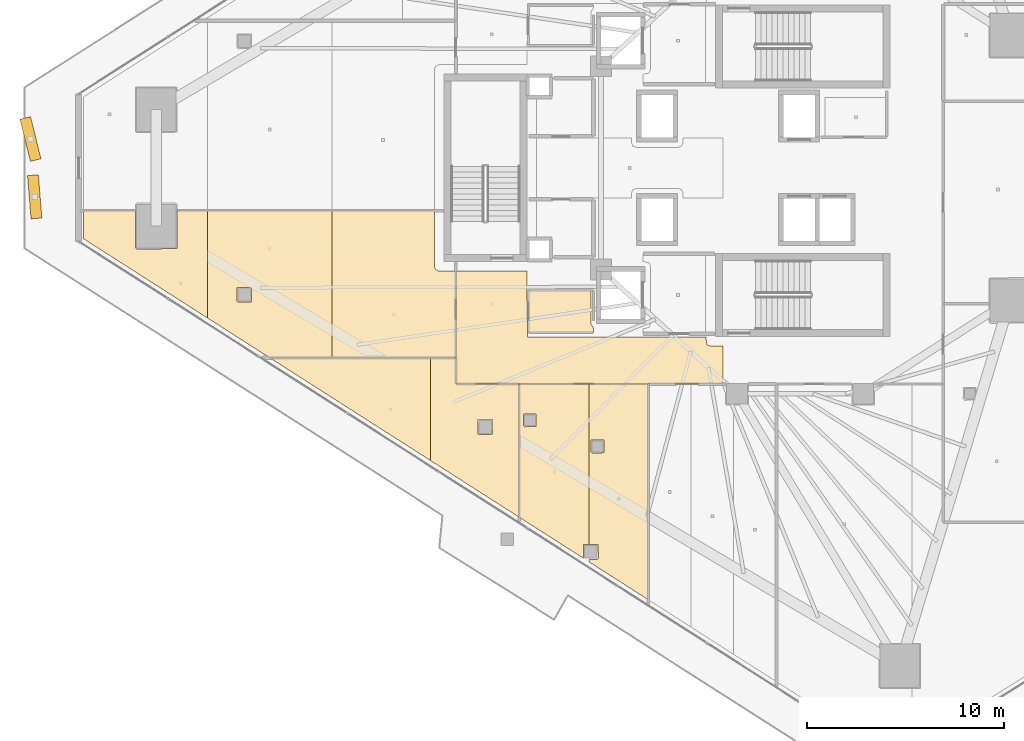
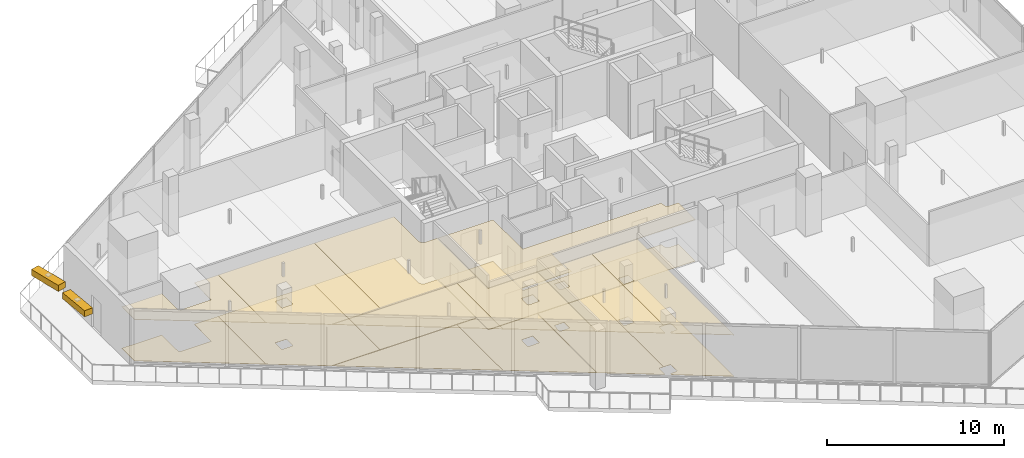
# One storey, part 32 of 39: 17 coverings, 2 shading devices.
"""IFC4 building model written with IfcOpenShell, lengths in metres."""

from ifc_helpers import new_model, si_unit, direction, frame, origin, origin_2d, place, context, subcontext, project, spatial, polyline, rectangle, outline, extrude, material, layer, layer_set, type_object, element, save


model = new_model("IFC4")

# Units and contexts
model_context = context("Model", 3, precision=1e-05, world=origin(), true_north=direction((0.0, 1.0)))
body_context = subcontext(model_context, "Body", "Model", "MODEL_VIEW")
ifc_project = project(units=[si_unit("LENGTHUNIT", "METRE"), si_unit("AREAUNIT", "SQUARE_METRE"), si_unit("VOLUMEUNIT", "CUBIC_METRE"), si_unit("PLANEANGLEUNIT", "RADIAN"), si_unit("MASSUNIT", "GRAM", prefix="KILO")], contexts=[model_context])

# Site, building, storey
site_placement = place(None, origin())
site = spatial("IfcSite", under=ifc_project, at=site_placement, CompositionType="ELEMENT")
building_placement = place(site_placement, origin())
building = spatial("IfcBuilding", under=site, at=building_placement, Name="Qorvath Tower", CompositionType="ELEMENT")
storey_placement = place(building_placement, frame((0.0, 0.0, 142.199951171875)))
storey = spatial("IfcBuildingStorey", under=building, at=storey_placement, Name="L32", CompositionType="ELEMENT", Elevation=142.199951171875)

# Coverings
ifc_material_1 = material(Name="Acoustic mineral fibre ceiling tile", Category="gypsum")
ifc_layer_1 = layer(ifc_material_1, 0.030029296875)
ifc_layer_set_1 = layer_set([ifc_layer_1], Name="COV-CEIL")
covering_type_1 = type_object("IfcCoveringType", Name="COV-CEIL", PredefinedType="CEILING", material=ifc_layer_set_1)
covering_1_placement = place(storey_placement, frame((0.0, 0.0, 2.85009765625)))
element("IfcCovering", 1, at=covering_1_placement, inside=storey, type_object=covering_type_1, Name="L32 Suspended Acoustic Ceiling 008", PredefinedType="CEILING", context=body_context, shape_type="SweptSolid", body=[
    extrude(outline(polyline([(-34.22509765625, -8.580078125), (-34.251220703125, -5.239990234375), (-37.844970703125, -5.239990234375), (-37.844970703125, -10.945068359375), (-24.32080078125, -10.945068359375), (-24.32080078125, -9.0400390625), (-24.93994140625, -9.0400390625), (-25.11669921875, -8.966796875), (-25.18994140625, -8.57421875), (-34.22509765625, -8.580078125)])), origin(), (0.0, 0.0, 1.0), 0.030029296875),
])
covering_2_placement = place(storey_placement, frame((0.0, 0.0, 2.85009765625)))
element("IfcCovering", 2, at=covering_2_placement, inside=storey, type_object=covering_type_1, Name="L32 Suspended Acoustic Ceiling 021", PredefinedType="CEILING", context=body_context, shape_type="SweptSolid", body=[
    extrude(outline(polyline([(-31.1005859375, -19.093017578125), (-31.1005859375, -10.962890625), (-34.64501953125, -10.962890625), (-34.64501953125, -17.715087890625), (-31.3994140625, -19.78955078125), (-31.383544921875, -19.093017578125), (-31.1005859375, -19.093017578125)]), holes=[polyline([(-34.439208984375, -13.0673828125), (-34.421630859375, -12.47509765625), (-33.786865234375, -12.47509765625), (-33.786865234375, -13.10986328125), (-34.379150390625, -13.12744140625), (-34.439208984375, -13.0673828125)])]), origin(), (0.0, 0.0, 1.0), 0.030029296875),
])
covering_3_placement = place(storey_placement, frame((0.0, 0.0, 2.85009765625)))
element("IfcCovering", 3, at=covering_3_placement, inside=storey, type_object=covering_type_1, Name="L32 Suspended Acoustic Ceiling 022", PredefinedType="CEILING", context=body_context, shape_type="SweptSolid", body=[
    extrude(outline(polyline([(-30.691162109375, -19.845458984375), (-31.1005859375, -19.845458984375), (-31.1005859375, -19.98046875), (-28.106689453125, -21.89404296875), (-28.106689453125, -10.962890625), (-31.1005859375, -10.962890625), (-31.1005859375, -19.093017578125), (-30.648681640625, -19.093017578125), (-30.631103515625, -19.785400390625), (-30.691162109375, -19.845458984375)]), holes=[polyline([(-31.01220703125, -14.3994140625), (-30.99462890625, -13.806884765625), (-30.35986328125, -13.806884765625), (-30.35986328125, -14.441650390625), (-30.9521484375, -14.459228515625), (-31.01220703125, -14.3994140625)])]), origin(), (0.0, 0.0, 1.0), 0.030029296875),
])
covering_4_placement = place(storey_placement, frame((0.0, 0.0, 2.85009765625)))
element("IfcCovering", 4, at=covering_4_placement, inside=storey, type_object=covering_type_1, Name="L32 Suspended Acoustic Ceiling 038", PredefinedType="CEILING", context=body_context, shape_type="SweptSolid", body=[
    extrude(outline(polyline([(-39.1455078125, -14.838623046875), (-39.1455078125, -9.62841796875), (-47.297607421875, -9.62841796875), (-39.1455078125, -14.838623046875)])), origin(), (0.0, 0.0, 1.0), 0.030029296875),
])
covering_5_placement = place(storey_placement, frame((0.0, 0.0, 2.85009765625)))
element("IfcCovering", 5, at=covering_5_placement, inside=storey, type_object=covering_type_1, Name="L32 Suspended Acoustic Ceiling 039", PredefinedType="CEILING", context=body_context, shape_type="SweptSolid", body=[
    extrude(outline(polyline([(-37.863037109375, -10.9580078125), (-37.863037109375, -9.62841796875), (-39.1455078125, -9.62841796875), (-39.1455078125, -14.838623046875), (-34.6630859375, -17.70361328125), (-34.6630859375, -10.962890625), (-37.863037109375, -10.9580078125)]), holes=[polyline([(-36.749755859375, -13.46044921875), (-36.732177734375, -12.76806640625), (-35.997314453125, -12.76806640625), (-35.997314453125, -13.5029296875), (-36.689697265625, -13.5205078125), (-36.749755859375, -13.46044921875)])]), origin(), (0.0, 0.0, 1.0), 0.030029296875),
])
covering_6_placement = place(storey_placement, frame((0.0, 0.0, 2.85009765625)))
element("IfcCovering", 6, at=covering_6_placement, inside=storey, type_object=covering_type_1, Name="L32 Suspended Acoustic Ceiling 040", PredefinedType="CEILING", context=body_context, shape_type="SweptSolid", body=[
    extrude(outline(polyline([(-50.441162109375, -7.619384765625), (-50.441162109375, -2.1689453125), (-51.989501953125, -2.1689453125), (-52.007080078125, -4.09326171875), (-54.04931640625, -4.11083984375), (-54.109375, -4.05078125), (-54.109375, -2.1689453125), (-56.72998046875, -2.1689453125), (-56.72998046875, -3.599853515625), (-50.441162109375, -7.619384765625)])), origin(), (0.0, 0.0, 1.0), 0.030029296875),
])
covering_7_placement = place(storey_placement, frame((0.0, 0.0, 2.85009765625)))
element("IfcCovering", 7, at=covering_7_placement, inside=storey, type_object=covering_type_1, Name="L32 Suspended Acoustic Ceiling 041", PredefinedType="CEILING", context=body_context, shape_type="SweptSolid", body=[
    extrude(outline(polyline([(-44.152099609375, -9.6103515625), (-44.152099609375, -2.1689453125), (-50.441162109375, -2.1689453125), (-50.441162109375, -7.619384765625), (-47.325927734375, -9.6103515625), (-44.152099609375, -9.6103515625)]), holes=[polyline([(-48.96337890625, -6.74951171875), (-48.94580078125, -6.05712890625), (-48.2109375, -6.05712890625), (-48.2109375, -6.7919921875), (-48.9033203125, -6.8095703125), (-48.96337890625, -6.74951171875)])]), origin(), (0.0, 0.0, 1.0), 0.030029296875),
])
covering_8_placement = place(storey_placement, frame((0.0, 0.0, 2.85009765625)))
element("IfcCovering", 8, at=covering_8_placement, inside=storey, type_object=covering_type_1, Name="L32 Suspended Acoustic Ceiling 042", PredefinedType="CEILING", context=body_context, shape_type="SweptSolid", body=[
    extrude(outline(polyline([(-37.863037109375, -9.6103515625), (-37.863037109375, -5.239990234375), (-38.699951171875, -5.239990234375), (-38.876708984375, -5.166748046875), (-38.949951171875, -4.989990234375), (-38.949951171875, -2.1689453125), (-44.152099609375, -2.1689453125), (-44.152099609375, -9.6103515625), (-37.863037109375, -9.6103515625)])), origin(), (0.0, 0.0, 1.0), 0.030029296875),
])
ifc_material_2 = material(Name="Low-VOC modular carpet tile", Category="textile")
ifc_layer_2 = layer(ifc_material_2, 0.014892578125)
ifc_layer_set_2 = layer_set([ifc_layer_2], Name="COV-FLOOR-CPT")
covering_type_2 = type_object("IfcCoveringType", Name="COV-FLOOR-CPT", PredefinedType="FLOORING", material=ifc_layer_set_2)
covering_9_placement = place(storey_placement, origin())
element("IfcCovering", 9, at=covering_9_placement, inside=storey, type_object=covering_type_2, Name="L32 Floor Finish 021", PredefinedType="FLOORING", context=body_context, shape_type="SweptSolid", body=[
    extrude(outline(polyline([(-31.1005859375, -19.093017578125), (-31.1005859375, -10.962890625), (-34.64501953125, -10.962890625), (-34.64501953125, -17.715087890625), (-31.3994140625, -19.78955078125), (-31.383544921875, -19.093017578125), (-31.1005859375, -19.093017578125)]), holes=[polyline([(-34.439208984375, -13.0673828125), (-34.421630859375, -12.47509765625), (-33.786865234375, -12.47509765625), (-33.786865234375, -13.10986328125), (-34.379150390625, -13.12744140625), (-34.439208984375, -13.0673828125)])]), origin(), (0.0, 0.0, 1.0), 0.01513671875),
])
covering_10_placement = place(storey_placement, origin())
element("IfcCovering", 10, at=covering_10_placement, inside=storey, type_object=covering_type_2, Name="L32 Floor Finish 022", PredefinedType="FLOORING", context=body_context, shape_type="SweptSolid", body=[
    extrude(outline(polyline([(-30.691162109375, -19.845458984375), (-31.1005859375, -19.845458984375), (-31.1005859375, -19.98046875), (-28.106689453125, -21.89404296875), (-28.106689453125, -10.962890625), (-31.1005859375, -10.962890625), (-31.1005859375, -19.093017578125), (-30.648681640625, -19.093017578125), (-30.631103515625, -19.785400390625), (-30.691162109375, -19.845458984375)]), holes=[polyline([(-31.01220703125, -14.3994140625), (-30.99462890625, -13.806884765625), (-30.35986328125, -13.806884765625), (-30.35986328125, -14.441650390625), (-30.9521484375, -14.459228515625), (-31.01220703125, -14.3994140625)])]), origin(), (0.0, 0.0, 1.0), 0.01513671875),
])
covering_11_placement = place(storey_placement, origin())
element("IfcCovering", 11, at=covering_11_placement, inside=storey, type_object=covering_type_2, Name="L32 Floor Finish 038", PredefinedType="FLOORING", context=body_context, shape_type="SweptSolid", body=[
    extrude(outline(polyline([(-39.1455078125, -14.838623046875), (-39.1455078125, -9.62841796875), (-47.297607421875, -9.62841796875), (-39.1455078125, -14.838623046875)])), origin(), (0.0, 0.0, 1.0), 0.01513671875),
])
covering_12_placement = place(storey_placement, origin())
element("IfcCovering", 12, at=covering_12_placement, inside=storey, type_object=covering_type_2, Name="L32 Floor Finish 039", PredefinedType="FLOORING", context=body_context, shape_type="SweptSolid", body=[
    extrude(outline(polyline([(-37.863037109375, -10.9580078125), (-37.863037109375, -9.62841796875), (-39.1455078125, -9.62841796875), (-39.1455078125, -14.838623046875), (-34.6630859375, -17.70361328125), (-34.6630859375, -10.962890625), (-37.863037109375, -10.9580078125)]), holes=[polyline([(-36.749755859375, -13.46044921875), (-36.732177734375, -12.76806640625), (-35.997314453125, -12.76806640625), (-35.997314453125, -13.5029296875), (-36.689697265625, -13.5205078125), (-36.749755859375, -13.46044921875)])]), origin(), (0.0, 0.0, 1.0), 0.01513671875),
])
covering_13_placement = place(storey_placement, origin())
element("IfcCovering", 13, at=covering_13_placement, inside=storey, type_object=covering_type_2, Name="L32 Floor Finish 040", PredefinedType="FLOORING", context=body_context, shape_type="SweptSolid", body=[
    extrude(outline(polyline([(-50.441162109375, -7.619384765625), (-50.441162109375, -2.1689453125), (-51.989501953125, -2.1689453125), (-52.007080078125, -4.09326171875), (-54.04931640625, -4.11083984375), (-54.109375, -4.05078125), (-54.109375, -2.1689453125), (-56.72998046875, -2.1689453125), (-56.72998046875, -3.599853515625), (-50.441162109375, -7.619384765625)])), origin(), (0.0, 0.0, 1.0), 0.01513671875),
])
covering_14_placement = place(storey_placement, origin())
element("IfcCovering", 14, at=covering_14_placement, inside=storey, type_object=covering_type_2, Name="L32 Floor Finish 041", PredefinedType="FLOORING", context=body_context, shape_type="SweptSolid", body=[
    extrude(outline(polyline([(-44.152099609375, -9.6103515625), (-44.152099609375, -2.1689453125), (-50.441162109375, -2.1689453125), (-50.441162109375, -7.619384765625), (-47.325927734375, -9.6103515625), (-44.152099609375, -9.6103515625)]), holes=[polyline([(-48.96337890625, -6.74951171875), (-48.94580078125, -6.05712890625), (-48.2109375, -6.05712890625), (-48.2109375, -6.7919921875), (-48.9033203125, -6.8095703125), (-48.96337890625, -6.74951171875)])]), origin(), (0.0, 0.0, 1.0), 0.01513671875),
])
covering_15_placement = place(storey_placement, origin())
element("IfcCovering", 15, at=covering_15_placement, inside=storey, type_object=covering_type_2, Name="L32 Floor Finish 042", PredefinedType="FLOORING", context=body_context, shape_type="SweptSolid", body=[
    extrude(outline(polyline([(-37.863037109375, -9.6103515625), (-37.863037109375, -5.239990234375), (-38.699951171875, -5.239990234375), (-38.876708984375, -5.166748046875), (-38.949951171875, -4.989990234375), (-38.949951171875, -2.1689453125), (-44.152099609375, -2.1689453125), (-44.152099609375, -9.6103515625), (-37.863037109375, -9.6103515625)])), origin(), (0.0, 0.0, 1.0), 0.01513671875),
])
ifc_material_3 = material(Name="Polished epoxy terrazzo flooring", Category="concrete")
ifc_layer_3 = layer(ifc_material_3, 0.02001953125)
ifc_layer_set_3 = layer_set([ifc_layer_3], Name="COV-FLOOR-TRZ")
covering_type_3 = type_object("IfcCoveringType", Name="COV-FLOOR-TRZ", PredefinedType="FLOORING", material=ifc_layer_set_3)
covering_16_placement = place(storey_placement, origin())
element("IfcCovering", 16, at=covering_16_placement, inside=storey, type_object=covering_type_3, Name="L32 Floor Finish 006", PredefinedType="FLOORING", context=body_context, shape_type="SweptSolid", body=[
    extrude(outline(polyline([(-30.885009765625, -8.344970703125), (-30.885009765625, -8.108154296875), (-31.010009765625, -7.909912109375), (-31.010009765625, -6.205078125), (-34.175048828125, -6.205078125), (-34.175048828125, -8.344970703125), (-30.885009765625, -8.344970703125)])), origin(), (0.0, 0.0, 1.0), 0.01513671875),
])
covering_17_placement = place(storey_placement, origin())
element("IfcCovering", 17, at=covering_17_placement, inside=storey, type_object=covering_type_3, Name="L32 Floor Finish 008", PredefinedType="FLOORING", context=body_context, shape_type="SweptSolid", body=[
    extrude(outline(polyline([(-34.22509765625, -8.580078125), (-34.251220703125, -5.239990234375), (-37.844970703125, -5.239990234375), (-37.844970703125, -10.945068359375), (-24.32080078125, -10.945068359375), (-24.32080078125, -9.0400390625), (-24.93994140625, -9.0400390625), (-25.11669921875, -8.966796875), (-25.18994140625, -8.57421875), (-34.22509765625, -8.580078125)])), origin(), (0.0, 0.0, 1.0), 0.01513671875),
])

# Shading devices
ifc_material_4 = material(Name="Anodised bronze-champagne aluminium", Category="aluminium")
shading_device_type = type_object("IfcShadingDeviceType", Name="SD-LOUVRE", PredefinedType="JALOUSIE", material=ifc_material_4)
for number, where, z_axis, x_axis, name in (
    (18, (-59.4287109375, 1.46630859375, 3.360107421875), (0.0, 0.0, 1.0), (0.240007787712, -0.970770962605, 0.0), "Sinusoidal Wave Louvre Blade L32-01"),
    (19, (-59.21337890625, -1.46630859375, 3.360107421875), (0.0, 0.0, 1.0), (0.080583393674, -0.996747870158, 0.0), "Sinusoidal Wave Louvre Blade L32-02"),
):
    element("IfcShadingDevice", number, at=place(storey_placement, frame(where, z_axis=z_axis, x_axis=x_axis)), inside=storey, type_object=shading_device_type, Name=name, PredefinedType="NOTDEFINED", context=body_context, shape_type="SweptSolid", body=[
        extrude(rectangle(XDim=2.199951171875, YDim=0.550048828125, at=origin_2d()), origin(), (0.0, 0.0, 1.0), 0.419921875),
    ])

save(model, "model.ifc")
